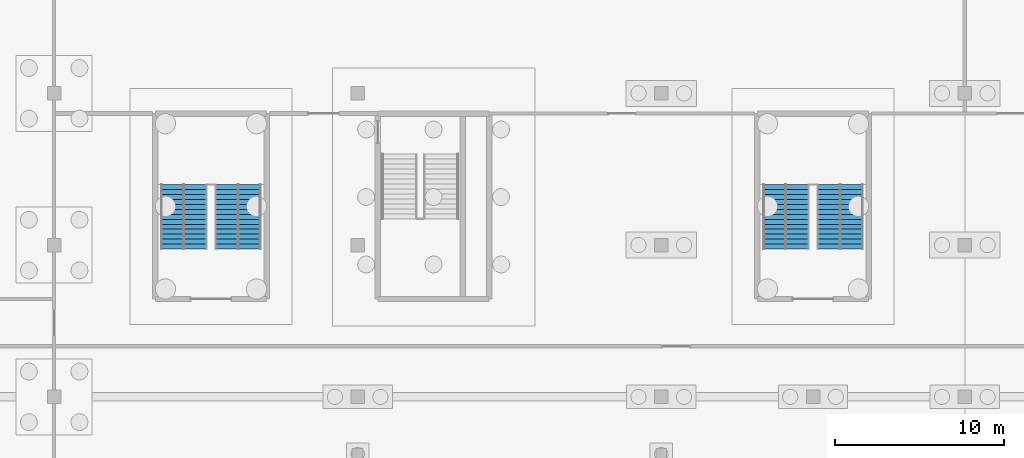
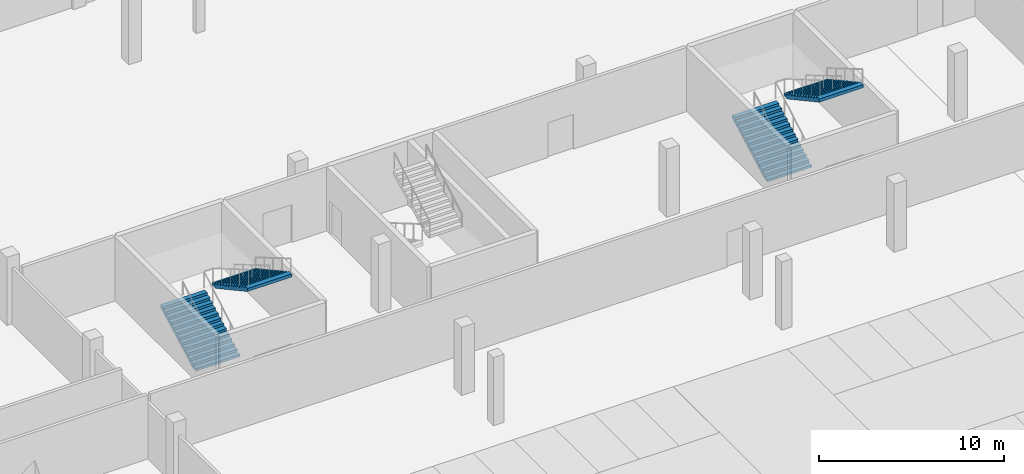
# One storey, part 33 of 46: 4 stair flights, 2 elements without a shape of their own.
"""IFC4 building model written with IfcOpenShell, lengths in metres."""

from ifc_helpers import new_model, si_unit, direction, frame, origin, place, context, subcontext, project, spatial, polygons, material, type_object, element, aggregate, save


model = new_model("IFC4")

# Units and contexts
model_context = context("Model", 3, precision=1e-05, world=origin(), true_north=direction((0.0, 1.0)))
body_context = subcontext(model_context, "Body", "Model", "MODEL_VIEW")
ifc_project = project(units=[si_unit("LENGTHUNIT", "METRE"), si_unit("AREAUNIT", "SQUARE_METRE"), si_unit("VOLUMEUNIT", "CUBIC_METRE"), si_unit("PLANEANGLEUNIT", "RADIAN"), si_unit("MASSUNIT", "GRAM", prefix="KILO")], contexts=[model_context])

# Site, building, storey
site_placement = place(None, origin())
site = spatial("IfcSite", under=ifc_project, at=site_placement, CompositionType="ELEMENT")
building_placement = place(site_placement, origin())
building = spatial("IfcBuilding", under=site, at=building_placement, Name="Kisiwana Market Hall", CompositionType="ELEMENT")
storey_placement = place(building_placement, frame((0.0, 0.0, -4.5)))
storey = spatial("IfcBuildingStorey", under=building, at=storey_placement, Name="B1", CompositionType="ELEMENT", Elevation=-4.5)

# Stair, stair flights
ifc_material_1 = material(Name="Concrete C32/40", Category="concrete")
stair_type = type_object("IfcStairType", Name="ST-ESC-4500", PredefinedType="TWO_STRAIGHT_RUN_STAIR", material=ifc_material_1)
stair_1_placement = place(storey_placement, origin())
stair_1 = element("IfcStair", 1, at=stair_1_placement, inside=storey, type_object=stair_type, Name="Escape stair ST-N3-B1", PredefinedType="TWO_STRAIGHT_RUN_STAIR")
ifc_material_2 = material(Name="Concrete C32/40", Category="concrete")
stair_flight_type = type_object("IfcStairFlightType", Name="SF-ESC-4500", PredefinedType="STRAIGHT", material=ifc_material_2)
stair_flight_1_placement = place(storey_placement, frame((52.68994140625, 92.760009765625, 0.0), z_axis=(0.0, 0.0, 1.0), x_axis=(0.0, 1.0, 0.0)))
stair_flight_1 = element("IfcStairFlight", 2, at=stair_flight_1_placement, type_object=stair_flight_type, Name="ST-N3-B1 flight 1", NumberOfRisers=14, NumberOfTreads=13, PredefinedType="STRAIGHT", RiserHeight=0.160714, TreadLength=0.295, context=body_context, shape_type="Tessellation", body=[
    polygons([(0.0, -1.380127, 0.0), (0.0, -0.690125, 0.0), (0.0, -0.000122, 0.0), (0.0, 0.68988, 0.0), (0.0, 1.379883, 0.0), (0.0, -1.380127, 0.160645), (0.0, -0.690125, 0.160645), (0.0, -0.000122, 0.160645), (0.0, 0.68988, 0.160645), (0.0, 1.379883, 0.160645), (0.294922, -1.380127, 0.160645), (0.294922, -0.690125, 0.160645), (0.294922, -0.000122, 0.160645), (0.294922, 0.68988, 0.160645), (0.294922, 1.379883, 0.160645), (0.294922, -1.380127, 0.321533), (0.294922, -0.690125, 0.321533), (0.294922, -0.000122, 0.321533), (0.294922, 0.68988, 0.321533), (0.294922, 1.379883, 0.321533), (0.590088, -1.380127, 0.321533), (0.590088, -0.690125, 0.321533), (0.590088, -0.000122, 0.321533), (0.590088, 0.68988, 0.321533), (0.590088, 1.379883, 0.321533), (0.590088, -1.380127, 0.482178), (0.590088, -0.690125, 0.482178), (0.590088, -0.000122, 0.482178), (0.590088, 0.68988, 0.482178), (0.590088, 1.379883, 0.482178), (0.88501, -1.380127, 0.482178), (0.88501, -0.690125, 0.482178), (0.88501, -0.000122, 0.482178), (0.88501, 0.68988, 0.482178), (0.88501, 1.379883, 0.482178), (0.88501, -1.380127, 0.642822), (0.88501, -0.690125, 0.642822), (0.88501, -0.000122, 0.642822), (0.88501, 0.68988, 0.642822), (0.88501, 1.379883, 0.642822), (1.179932, -1.380127, 0.642822), (1.179932, -0.690125, 0.642822), (1.179932, -0.000122, 0.642822), (1.179932, 0.68988, 0.642822), (1.179932, 1.379883, 0.642822), (1.179932, -1.380127, 0.803467), (1.179932, -0.690125, 0.803467), (1.179932, -0.000122, 0.803467), (1.179932, 0.68988, 0.803467), (1.179932, 1.379883, 0.803467), (1.475098, -1.380127, 0.803467), (1.475098, -0.690125, 0.803467), (1.475098, -0.000122, 0.803467), (1.475098, 0.68988, 0.803467), (1.475098, 1.379883, 0.803467), (1.475098, -1.380127, 0.964355), (1.475098, -0.690125, 0.964355), (1.475098, -0.000122, 0.964355), (1.475098, 0.68988, 0.964355), (1.475098, 1.379883, 0.964355), (1.77002, -1.380127, 0.964355), (1.77002, -0.690125, 0.964355), (1.77002, -0.000122, 0.964355), (1.77002, 0.68988, 0.964355), (1.77002, 1.379883, 0.964355), (1.77002, -1.380127, 1.125), (1.77002, -0.690125, 1.125), (1.77002, -0.000122, 1.125), (1.77002, 0.68988, 1.125), (1.77002, 1.379883, 1.125), (2.064941, -1.380127, 1.125), (2.064941, -0.690125, 1.125), (2.064941, -0.000122, 1.125), (2.064941, 0.68988, 1.125), (2.064941, 1.379883, 1.125), (2.064941, -1.380127, 1.285645), (2.064941, -0.690125, 1.285645), (2.064941, -0.000122, 1.285645), (2.064941, 0.68988, 1.285645), (2.064941, 1.379883, 1.285645), (2.360107, -1.380127, 1.285645), (2.360107, -0.690125, 1.285645), (2.360107, -0.000122, 1.285645), (2.360107, 0.68988, 1.285645), (2.360107, 1.379883, 1.285645), (2.360107, -1.380127, 1.446533), (2.360107, -0.690125, 1.446533), (2.360107, -0.000122, 1.446533), (2.360107, 0.68988, 1.446533), (2.360107, 1.379883, 1.446533), (2.655029, -1.380127, 1.446533), (2.655029, -0.690125, 1.446533), (2.655029, -0.000122, 1.446533), (2.655029, 0.68988, 1.446533), (2.655029, 1.379883, 1.446533), (2.655029, -1.380127, 1.607178), (2.655029, -0.690125, 1.607178), (2.655029, -0.000122, 1.607178), (2.655029, 0.68988, 1.607178), (2.655029, 1.379883, 1.607178), (2.949951, -1.380127, 1.607178), (2.949951, -0.690125, 1.607178), (2.949951, -0.000122, 1.607178), (2.949951, 0.68988, 1.607178), (2.949951, 1.379883, 1.607178), (2.949951, -1.380127, 1.767822), (2.949951, -0.690125, 1.767822), (2.949951, -0.000122, 1.767822), (2.949951, 0.68988, 1.767822), (2.949951, 1.379883, 1.767822), (3.245117, -1.380127, 1.767822), (3.245117, -0.690125, 1.767822), (3.245117, -0.000122, 1.767822), (3.245117, 0.68988, 1.767822), (3.245117, 1.379883, 1.767822), (3.245117, -1.380127, 1.928467), (3.245117, -0.690125, 1.928467), (3.245117, -0.000122, 1.928467), (3.245117, 0.68988, 1.928467), (3.245117, 1.379883, 1.928467), (3.540039, -1.380127, 1.928467), (3.540039, -0.690125, 1.928467), (3.540039, -0.000122, 1.928467), (3.540039, 0.68988, 1.928467), (3.540039, 1.379883, 1.928467), (3.540039, -1.380127, 2.089355), (3.540039, -0.690125, 2.089355), (3.540039, -0.000122, 2.089355), (3.540039, 0.68988, 2.089355), (3.540039, 1.379883, 2.089355), (3.834961, -1.380127, 2.089355), (3.834961, -0.690125, 2.089355), (3.834961, -0.000122, 2.089355), (3.834961, 0.68988, 2.089355), (3.834961, 1.379883, 2.089355), (3.834961, -1.380127, 1.884277), (3.834961, -0.690125, 1.884277), (3.834961, -0.000122, 1.884277), (3.834961, 0.68988, 1.884277), (3.834961, 1.379883, 1.884277), (0.376221, -1.380127, 0.0), (0.376221, -0.690125, 0.0), (0.376221, -0.000122, 0.0), (0.376221, 0.68988, 0.0), (0.376221, 1.379883, 0.0)], [[[1, 6, 7, 2]], [[2, 7, 8, 3]], [[3, 8, 9, 4]], [[4, 9, 10, 5]], [[6, 11, 12, 7]], [[7, 12, 13, 8]], [[8, 13, 14, 9]], [[9, 14, 15, 10]], [[11, 16, 17, 12]], [[12, 17, 18, 13]], [[13, 18, 19, 14]], [[14, 19, 20, 15]], [[16, 21, 22, 17]], [[17, 22, 23, 18]], [[18, 23, 24, 19]], [[19, 24, 25, 20]], [[21, 26, 27, 22]], [[22, 27, 28, 23]], [[23, 28, 29, 24]], [[24, 29, 30, 25]], [[26, 31, 32, 27]], [[27, 32, 33, 28]], [[28, 33, 34, 29]], [[29, 34, 35, 30]], [[31, 36, 37, 32]], [[32, 37, 38, 33]], [[33, 38, 39, 34]], [[34, 39, 40, 35]], [[36, 41, 42, 37]], [[37, 42, 43, 38]], [[38, 43, 44, 39]], [[39, 44, 45, 40]], [[41, 46, 47, 42]], [[42, 47, 48, 43]], [[43, 48, 49, 44]], [[44, 49, 50, 45]], [[46, 51, 52, 47]], [[47, 52, 53, 48]], [[48, 53, 54, 49]], [[49, 54, 55, 50]], [[51, 56, 57, 52]], [[52, 57, 58, 53]], [[53, 58, 59, 54]], [[54, 59, 60, 55]], [[56, 61, 62, 57]], [[57, 62, 63, 58]], [[58, 63, 64, 59]], [[59, 64, 65, 60]], [[61, 66, 67, 62]], [[62, 67, 68, 63]], [[63, 68, 69, 64]], [[64, 69, 70, 65]], [[66, 71, 72, 67]], [[67, 72, 73, 68]], [[68, 73, 74, 69]], [[69, 74, 75, 70]], [[71, 76, 77, 72]], [[72, 77, 78, 73]], [[73, 78, 79, 74]], [[74, 79, 80, 75]], [[76, 81, 82, 77]], [[77, 82, 83, 78]], [[78, 83, 84, 79]], [[79, 84, 85, 80]], [[81, 86, 87, 82]], [[82, 87, 88, 83]], [[83, 88, 89, 84]], [[84, 89, 90, 85]], [[86, 91, 92, 87]], [[87, 92, 93, 88]], [[88, 93, 94, 89]], [[89, 94, 95, 90]], [[91, 96, 97, 92]], [[92, 97, 98, 93]], [[93, 98, 99, 94]], [[94, 99, 100, 95]], [[96, 101, 102, 97]], [[97, 102, 103, 98]], [[98, 103, 104, 99]], [[99, 104, 105, 100]], [[101, 106, 107, 102]], [[102, 107, 108, 103]], [[103, 108, 109, 104]], [[104, 109, 110, 105]], [[106, 111, 112, 107]], [[107, 112, 113, 108]], [[108, 113, 114, 109]], [[109, 114, 115, 110]], [[111, 116, 117, 112]], [[112, 117, 118, 113]], [[113, 118, 119, 114]], [[114, 119, 120, 115]], [[116, 121, 122, 117]], [[117, 122, 123, 118]], [[118, 123, 124, 119]], [[119, 124, 125, 120]], [[121, 126, 127, 122]], [[122, 127, 128, 123]], [[123, 128, 129, 124]], [[124, 129, 130, 125]], [[126, 131, 132, 127]], [[127, 132, 133, 128]], [[128, 133, 134, 129]], [[129, 134, 135, 130]], [[131, 136, 137, 132]], [[132, 137, 138, 133]], [[133, 138, 139, 134]], [[134, 139, 140, 135]], [[136, 141, 142, 137]], [[137, 142, 143, 138]], [[138, 143, 144, 139]], [[139, 144, 145, 140]], [[141, 1, 2, 142]], [[142, 2, 3, 143]], [[143, 3, 4, 144]], [[144, 4, 5, 145]], [[141, 136, 131, 126, 121, 116, 111, 106, 101, 96, 91, 86, 81, 76, 71, 66, 61, 56, 51, 46, 41, 36, 31, 26, 21, 16, 11, 6, 1]], [[5, 10, 15, 20, 25, 30, 35, 40, 45, 50, 55, 60, 65, 70, 75, 80, 85, 90, 95, 100, 105, 110, 115, 120, 125, 130, 135, 140, 145]]], closed=True),
])
stair_flight_2_placement = place(storey_placement, frame((55.909912109375, 96.594970703125, 2.25), z_axis=(0.0, 0.0, 1.0), x_axis=(0.0, -1.0, 0.0)))
stair_flight_2 = element("IfcStairFlight", 3, at=stair_flight_2_placement, type_object=stair_flight_type, Name="ST-N3-B1 flight 2", NumberOfRisers=14, NumberOfTreads=13, PredefinedType="STRAIGHT", RiserHeight=0.160714, TreadLength=0.295, context=body_context, shape_type="Tessellation", body=[
    polygons([(0.0, -1.380127, 0.0), (0.0, -0.690125, 0.0), (0.0, -0.000122, 0.0), (0.0, 0.68988, 0.0), (0.0, 1.379883, 0.0), (0.0, -1.380127, 0.160645), (0.0, -0.690125, 0.160645), (0.0, -0.000122, 0.160645), (0.0, 0.68988, 0.160645), (0.0, 1.379883, 0.160645), (0.294922, -1.380127, 0.160645), (0.294922, -0.690125, 0.160645), (0.294922, -0.000122, 0.160645), (0.294922, 0.68988, 0.160645), (0.294922, 1.379883, 0.160645), (0.294922, -1.380127, 0.321533), (0.294922, -0.690125, 0.321533), (0.294922, -0.000122, 0.321533), (0.294922, 0.68988, 0.321533), (0.294922, 1.379883, 0.321533), (0.590088, -1.380127, 0.321533), (0.590088, -0.690125, 0.321533), (0.590088, -0.000122, 0.321533), (0.590088, 0.68988, 0.321533), (0.590088, 1.379883, 0.321533), (0.590088, -1.380127, 0.482178), (0.590088, -0.690125, 0.482178), (0.590088, -0.000122, 0.482178), (0.590088, 0.68988, 0.482178), (0.590088, 1.379883, 0.482178), (0.88501, -1.380127, 0.482178), (0.88501, -0.690125, 0.482178), (0.88501, -0.000122, 0.482178), (0.88501, 0.68988, 0.482178), (0.88501, 1.379883, 0.482178), (0.88501, -1.380127, 0.642822), (0.88501, -0.690125, 0.642822), (0.88501, -0.000122, 0.642822), (0.88501, 0.68988, 0.642822), (0.88501, 1.379883, 0.642822), (1.179932, -1.380127, 0.642822), (1.179932, -0.690125, 0.642822), (1.179932, -0.000122, 0.642822), (1.179932, 0.68988, 0.642822), (1.179932, 1.379883, 0.642822), (1.179932, -1.380127, 0.803467), (1.179932, -0.690125, 0.803467), (1.179932, -0.000122, 0.803467), (1.179932, 0.68988, 0.803467), (1.179932, 1.379883, 0.803467), (1.475098, -1.380127, 0.803467), (1.475098, -0.690125, 0.803467), (1.475098, -0.000122, 0.803467), (1.475098, 0.68988, 0.803467), (1.475098, 1.379883, 0.803467), (1.475098, -1.380127, 0.964355), (1.475098, -0.690125, 0.964355), (1.475098, -0.000122, 0.964355), (1.475098, 0.68988, 0.964355), (1.475098, 1.379883, 0.964355), (1.77002, -1.380127, 0.964355), (1.77002, -0.690125, 0.964355), (1.77002, -0.000122, 0.964355), (1.77002, 0.68988, 0.964355), (1.77002, 1.379883, 0.964355), (1.77002, -1.380127, 1.125), (1.77002, -0.690125, 1.125), (1.77002, -0.000122, 1.125), (1.77002, 0.68988, 1.125), (1.77002, 1.379883, 1.125), (2.064941, -1.380127, 1.125), (2.064941, -0.690125, 1.125), (2.064941, -0.000122, 1.125), (2.064941, 0.68988, 1.125), (2.064941, 1.379883, 1.125), (2.064941, -1.380127, 1.285645), (2.064941, -0.690125, 1.285645), (2.064941, -0.000122, 1.285645), (2.064941, 0.68988, 1.285645), (2.064941, 1.379883, 1.285645), (2.360107, -1.380127, 1.285645), (2.360107, -0.690125, 1.285645), (2.360107, -0.000122, 1.285645), (2.360107, 0.68988, 1.285645), (2.360107, 1.379883, 1.285645), (2.360107, -1.380127, 1.446533), (2.360107, -0.690125, 1.446533), (2.360107, -0.000122, 1.446533), (2.360107, 0.68988, 1.446533), (2.360107, 1.379883, 1.446533), (2.655029, -1.380127, 1.446533), (2.655029, -0.690125, 1.446533), (2.655029, -0.000122, 1.446533), (2.655029, 0.68988, 1.446533), (2.655029, 1.379883, 1.446533), (2.655029, -1.380127, 1.607178), (2.655029, -0.690125, 1.607178), (2.655029, -0.000122, 1.607178), (2.655029, 0.68988, 1.607178), (2.655029, 1.379883, 1.607178), (2.949951, -1.380127, 1.607178), (2.949951, -0.690125, 1.607178), (2.949951, -0.000122, 1.607178), (2.949951, 0.68988, 1.607178), (2.949951, 1.379883, 1.607178), (2.949951, -1.380127, 1.767822), (2.949951, -0.690125, 1.767822), (2.949951, -0.000122, 1.767822), (2.949951, 0.68988, 1.767822), (2.949951, 1.379883, 1.767822), (3.245117, -1.380127, 1.767822), (3.245117, -0.690125, 1.767822), (3.245117, -0.000122, 1.767822), (3.245117, 0.68988, 1.767822), (3.245117, 1.379883, 1.767822), (3.245117, -1.380127, 1.928467), (3.245117, -0.690125, 1.928467), (3.245117, -0.000122, 1.928467), (3.245117, 0.68988, 1.928467), (3.245117, 1.379883, 1.928467), (3.540039, -1.380127, 1.928467), (3.540039, -0.690125, 1.928467), (3.540039, -0.000122, 1.928467), (3.540039, 0.68988, 1.928467), (3.540039, 1.379883, 1.928467), (3.540039, -1.380127, 2.089355), (3.540039, -0.690125, 2.089355), (3.540039, -0.000122, 2.089355), (3.540039, 0.68988, 2.089355), (3.540039, 1.379883, 2.089355), (3.834961, -1.380127, 2.089355), (3.834961, -0.690125, 2.089355), (3.834961, -0.000122, 2.089355), (3.834961, 0.68988, 2.089355), (3.834961, 1.379883, 2.089355), (3.834961, -1.380127, 1.884277), (3.834961, -0.690125, 1.884277), (3.834961, -0.000122, 1.884277), (3.834961, 0.68988, 1.884277), (3.834961, 1.379883, 1.884277), (0.376221, -1.380127, 0.0), (0.376221, -0.690125, 0.0), (0.376221, -0.000122, 0.0), (0.376221, 0.68988, 0.0), (0.376221, 1.379883, 0.0)], [[[1, 6, 7, 2]], [[2, 7, 8, 3]], [[3, 8, 9, 4]], [[4, 9, 10, 5]], [[6, 11, 12, 7]], [[7, 12, 13, 8]], [[8, 13, 14, 9]], [[9, 14, 15, 10]], [[11, 16, 17, 12]], [[12, 17, 18, 13]], [[13, 18, 19, 14]], [[14, 19, 20, 15]], [[16, 21, 22, 17]], [[17, 22, 23, 18]], [[18, 23, 24, 19]], [[19, 24, 25, 20]], [[21, 26, 27, 22]], [[22, 27, 28, 23]], [[23, 28, 29, 24]], [[24, 29, 30, 25]], [[26, 31, 32, 27]], [[27, 32, 33, 28]], [[28, 33, 34, 29]], [[29, 34, 35, 30]], [[31, 36, 37, 32]], [[32, 37, 38, 33]], [[33, 38, 39, 34]], [[34, 39, 40, 35]], [[36, 41, 42, 37]], [[37, 42, 43, 38]], [[38, 43, 44, 39]], [[39, 44, 45, 40]], [[41, 46, 47, 42]], [[42, 47, 48, 43]], [[43, 48, 49, 44]], [[44, 49, 50, 45]], [[46, 51, 52, 47]], [[47, 52, 53, 48]], [[48, 53, 54, 49]], [[49, 54, 55, 50]], [[51, 56, 57, 52]], [[52, 57, 58, 53]], [[53, 58, 59, 54]], [[54, 59, 60, 55]], [[56, 61, 62, 57]], [[57, 62, 63, 58]], [[58, 63, 64, 59]], [[59, 64, 65, 60]], [[61, 66, 67, 62]], [[62, 67, 68, 63]], [[63, 68, 69, 64]], [[64, 69, 70, 65]], [[66, 71, 72, 67]], [[67, 72, 73, 68]], [[68, 73, 74, 69]], [[69, 74, 75, 70]], [[71, 76, 77, 72]], [[72, 77, 78, 73]], [[73, 78, 79, 74]], [[74, 79, 80, 75]], [[76, 81, 82, 77]], [[77, 82, 83, 78]], [[78, 83, 84, 79]], [[79, 84, 85, 80]], [[81, 86, 87, 82]], [[82, 87, 88, 83]], [[83, 88, 89, 84]], [[84, 89, 90, 85]], [[86, 91, 92, 87]], [[87, 92, 93, 88]], [[88, 93, 94, 89]], [[89, 94, 95, 90]], [[91, 96, 97, 92]], [[92, 97, 98, 93]], [[93, 98, 99, 94]], [[94, 99, 100, 95]], [[96, 101, 102, 97]], [[97, 102, 103, 98]], [[98, 103, 104, 99]], [[99, 104, 105, 100]], [[101, 106, 107, 102]], [[102, 107, 108, 103]], [[103, 108, 109, 104]], [[104, 109, 110, 105]], [[106, 111, 112, 107]], [[107, 112, 113, 108]], [[108, 113, 114, 109]], [[109, 114, 115, 110]], [[111, 116, 117, 112]], [[112, 117, 118, 113]], [[113, 118, 119, 114]], [[114, 119, 120, 115]], [[116, 121, 122, 117]], [[117, 122, 123, 118]], [[118, 123, 124, 119]], [[119, 124, 125, 120]], [[121, 126, 127, 122]], [[122, 127, 128, 123]], [[123, 128, 129, 124]], [[124, 129, 130, 125]], [[126, 131, 132, 127]], [[127, 132, 133, 128]], [[128, 133, 134, 129]], [[129, 134, 135, 130]], [[131, 136, 137, 132]], [[132, 137, 138, 133]], [[133, 138, 139, 134]], [[134, 139, 140, 135]], [[136, 141, 142, 137]], [[137, 142, 143, 138]], [[138, 143, 144, 139]], [[139, 144, 145, 140]], [[141, 1, 2, 142]], [[142, 2, 3, 143]], [[143, 3, 4, 144]], [[144, 4, 5, 145]], [[141, 136, 131, 126, 121, 116, 111, 106, 101, 96, 91, 86, 81, 76, 71, 66, 61, 56, 51, 46, 41, 36, 31, 26, 21, 16, 11, 6, 1]], [[5, 10, 15, 20, 25, 30, 35, 40, 45, 50, 55, 60, 65, 70, 75, 80, 85, 90, 95, 100, 105, 110, 115, 120, 125, 130, 135, 140, 145]]], closed=True),
])
aggregate(stair_1, [stair_flight_1, stair_flight_2])

stair_2_placement = place(storey_placement, origin())
stair_2 = element("IfcStair", 4, at=stair_2_placement, inside=storey, type_object=stair_type, Name="Escape stair ST-N4-B1", PredefinedType="TWO_STRAIGHT_RUN_STAIR")
stair_flight_3_placement = place(storey_placement, frame((88.389892578125, 92.760009765625, 0.0), z_axis=(0.0, 0.0, 1.0), x_axis=(0.0, 1.0, 0.0)))
stair_flight_3 = element("IfcStairFlight", 5, at=stair_flight_3_placement, type_object=stair_flight_type, Name="ST-N4-B1 flight 1", NumberOfRisers=14, NumberOfTreads=13, PredefinedType="STRAIGHT", RiserHeight=0.160714, TreadLength=0.295, context=body_context, shape_type="Tessellation", body=[
    polygons([(0.0, -1.380127, 0.0), (0.0, -0.690125, 0.0), (0.0, -0.000122, 0.0), (0.0, 0.68988, 0.0), (0.0, 1.379883, 0.0), (0.0, -1.380127, 0.160645), (0.0, -0.690125, 0.160645), (0.0, -0.000122, 0.160645), (0.0, 0.68988, 0.160645), (0.0, 1.379883, 0.160645), (0.294922, -1.380127, 0.160645), (0.294922, -0.690125, 0.160645), (0.294922, -0.000122, 0.160645), (0.294922, 0.68988, 0.160645), (0.294922, 1.379883, 0.160645), (0.294922, -1.380127, 0.321533), (0.294922, -0.690125, 0.321533), (0.294922, -0.000122, 0.321533), (0.294922, 0.68988, 0.321533), (0.294922, 1.379883, 0.321533), (0.590088, -1.380127, 0.321533), (0.590088, -0.690125, 0.321533), (0.590088, -0.000122, 0.321533), (0.590088, 0.68988, 0.321533), (0.590088, 1.379883, 0.321533), (0.590088, -1.380127, 0.482178), (0.590088, -0.690125, 0.482178), (0.590088, -0.000122, 0.482178), (0.590088, 0.68988, 0.482178), (0.590088, 1.379883, 0.482178), (0.88501, -1.380127, 0.482178), (0.88501, -0.690125, 0.482178), (0.88501, -0.000122, 0.482178), (0.88501, 0.68988, 0.482178), (0.88501, 1.379883, 0.482178), (0.88501, -1.380127, 0.642822), (0.88501, -0.690125, 0.642822), (0.88501, -0.000122, 0.642822), (0.88501, 0.68988, 0.642822), (0.88501, 1.379883, 0.642822), (1.179932, -1.380127, 0.642822), (1.179932, -0.690125, 0.642822), (1.179932, -0.000122, 0.642822), (1.179932, 0.68988, 0.642822), (1.179932, 1.379883, 0.642822), (1.179932, -1.380127, 0.803467), (1.179932, -0.690125, 0.803467), (1.179932, -0.000122, 0.803467), (1.179932, 0.68988, 0.803467), (1.179932, 1.379883, 0.803467), (1.475098, -1.380127, 0.803467), (1.475098, -0.690125, 0.803467), (1.475098, -0.000122, 0.803467), (1.475098, 0.68988, 0.803467), (1.475098, 1.379883, 0.803467), (1.475098, -1.380127, 0.964355), (1.475098, -0.690125, 0.964355), (1.475098, -0.000122, 0.964355), (1.475098, 0.68988, 0.964355), (1.475098, 1.379883, 0.964355), (1.77002, -1.380127, 0.964355), (1.77002, -0.690125, 0.964355), (1.77002, -0.000122, 0.964355), (1.77002, 0.68988, 0.964355), (1.77002, 1.379883, 0.964355), (1.77002, -1.380127, 1.125), (1.77002, -0.690125, 1.125), (1.77002, -0.000122, 1.125), (1.77002, 0.68988, 1.125), (1.77002, 1.379883, 1.125), (2.064941, -1.380127, 1.125), (2.064941, -0.690125, 1.125), (2.064941, -0.000122, 1.125), (2.064941, 0.68988, 1.125), (2.064941, 1.379883, 1.125), (2.064941, -1.380127, 1.285645), (2.064941, -0.690125, 1.285645), (2.064941, -0.000122, 1.285645), (2.064941, 0.68988, 1.285645), (2.064941, 1.379883, 1.285645), (2.360107, -1.380127, 1.285645), (2.360107, -0.690125, 1.285645), (2.360107, -0.000122, 1.285645), (2.360107, 0.68988, 1.285645), (2.360107, 1.379883, 1.285645), (2.360107, -1.380127, 1.446533), (2.360107, -0.690125, 1.446533), (2.360107, -0.000122, 1.446533), (2.360107, 0.68988, 1.446533), (2.360107, 1.379883, 1.446533), (2.655029, -1.380127, 1.446533), (2.655029, -0.690125, 1.446533), (2.655029, -0.000122, 1.446533), (2.655029, 0.68988, 1.446533), (2.655029, 1.379883, 1.446533), (2.655029, -1.380127, 1.607178), (2.655029, -0.690125, 1.607178), (2.655029, -0.000122, 1.607178), (2.655029, 0.68988, 1.607178), (2.655029, 1.379883, 1.607178), (2.949951, -1.380127, 1.607178), (2.949951, -0.690125, 1.607178), (2.949951, -0.000122, 1.607178), (2.949951, 0.68988, 1.607178), (2.949951, 1.379883, 1.607178), (2.949951, -1.380127, 1.767822), (2.949951, -0.690125, 1.767822), (2.949951, -0.000122, 1.767822), (2.949951, 0.68988, 1.767822), (2.949951, 1.379883, 1.767822), (3.245117, -1.380127, 1.767822), (3.245117, -0.690125, 1.767822), (3.245117, -0.000122, 1.767822), (3.245117, 0.68988, 1.767822), (3.245117, 1.379883, 1.767822), (3.245117, -1.380127, 1.928467), (3.245117, -0.690125, 1.928467), (3.245117, -0.000122, 1.928467), (3.245117, 0.68988, 1.928467), (3.245117, 1.379883, 1.928467), (3.540039, -1.380127, 1.928467), (3.540039, -0.690125, 1.928467), (3.540039, -0.000122, 1.928467), (3.540039, 0.68988, 1.928467), (3.540039, 1.379883, 1.928467), (3.540039, -1.380127, 2.089355), (3.540039, -0.690125, 2.089355), (3.540039, -0.000122, 2.089355), (3.540039, 0.68988, 2.089355), (3.540039, 1.379883, 2.089355), (3.834961, -1.380127, 2.089355), (3.834961, -0.690125, 2.089355), (3.834961, -0.000122, 2.089355), (3.834961, 0.68988, 2.089355), (3.834961, 1.379883, 2.089355), (3.834961, -1.380127, 1.884277), (3.834961, -0.690125, 1.884277), (3.834961, -0.000122, 1.884277), (3.834961, 0.68988, 1.884277), (3.834961, 1.379883, 1.884277), (0.376221, -1.380127, 0.0), (0.376221, -0.690125, 0.0), (0.376221, -0.000122, 0.0), (0.376221, 0.68988, 0.0), (0.376221, 1.379883, 0.0)], [[[1, 6, 7, 2]], [[2, 7, 8, 3]], [[3, 8, 9, 4]], [[4, 9, 10, 5]], [[6, 11, 12, 7]], [[7, 12, 13, 8]], [[8, 13, 14, 9]], [[9, 14, 15, 10]], [[11, 16, 17, 12]], [[12, 17, 18, 13]], [[13, 18, 19, 14]], [[14, 19, 20, 15]], [[16, 21, 22, 17]], [[17, 22, 23, 18]], [[18, 23, 24, 19]], [[19, 24, 25, 20]], [[21, 26, 27, 22]], [[22, 27, 28, 23]], [[23, 28, 29, 24]], [[24, 29, 30, 25]], [[26, 31, 32, 27]], [[27, 32, 33, 28]], [[28, 33, 34, 29]], [[29, 34, 35, 30]], [[31, 36, 37, 32]], [[32, 37, 38, 33]], [[33, 38, 39, 34]], [[34, 39, 40, 35]], [[36, 41, 42, 37]], [[37, 42, 43, 38]], [[38, 43, 44, 39]], [[39, 44, 45, 40]], [[41, 46, 47, 42]], [[42, 47, 48, 43]], [[43, 48, 49, 44]], [[44, 49, 50, 45]], [[46, 51, 52, 47]], [[47, 52, 53, 48]], [[48, 53, 54, 49]], [[49, 54, 55, 50]], [[51, 56, 57, 52]], [[52, 57, 58, 53]], [[53, 58, 59, 54]], [[54, 59, 60, 55]], [[56, 61, 62, 57]], [[57, 62, 63, 58]], [[58, 63, 64, 59]], [[59, 64, 65, 60]], [[61, 66, 67, 62]], [[62, 67, 68, 63]], [[63, 68, 69, 64]], [[64, 69, 70, 65]], [[66, 71, 72, 67]], [[67, 72, 73, 68]], [[68, 73, 74, 69]], [[69, 74, 75, 70]], [[71, 76, 77, 72]], [[72, 77, 78, 73]], [[73, 78, 79, 74]], [[74, 79, 80, 75]], [[76, 81, 82, 77]], [[77, 82, 83, 78]], [[78, 83, 84, 79]], [[79, 84, 85, 80]], [[81, 86, 87, 82]], [[82, 87, 88, 83]], [[83, 88, 89, 84]], [[84, 89, 90, 85]], [[86, 91, 92, 87]], [[87, 92, 93, 88]], [[88, 93, 94, 89]], [[89, 94, 95, 90]], [[91, 96, 97, 92]], [[92, 97, 98, 93]], [[93, 98, 99, 94]], [[94, 99, 100, 95]], [[96, 101, 102, 97]], [[97, 102, 103, 98]], [[98, 103, 104, 99]], [[99, 104, 105, 100]], [[101, 106, 107, 102]], [[102, 107, 108, 103]], [[103, 108, 109, 104]], [[104, 109, 110, 105]], [[106, 111, 112, 107]], [[107, 112, 113, 108]], [[108, 113, 114, 109]], [[109, 114, 115, 110]], [[111, 116, 117, 112]], [[112, 117, 118, 113]], [[113, 118, 119, 114]], [[114, 119, 120, 115]], [[116, 121, 122, 117]], [[117, 122, 123, 118]], [[118, 123, 124, 119]], [[119, 124, 125, 120]], [[121, 126, 127, 122]], [[122, 127, 128, 123]], [[123, 128, 129, 124]], [[124, 129, 130, 125]], [[126, 131, 132, 127]], [[127, 132, 133, 128]], [[128, 133, 134, 129]], [[129, 134, 135, 130]], [[131, 136, 137, 132]], [[132, 137, 138, 133]], [[133, 138, 139, 134]], [[134, 139, 140, 135]], [[136, 141, 142, 137]], [[137, 142, 143, 138]], [[138, 143, 144, 139]], [[139, 144, 145, 140]], [[141, 1, 2, 142]], [[142, 2, 3, 143]], [[143, 3, 4, 144]], [[144, 4, 5, 145]], [[141, 136, 131, 126, 121, 116, 111, 106, 101, 96, 91, 86, 81, 76, 71, 66, 61, 56, 51, 46, 41, 36, 31, 26, 21, 16, 11, 6, 1]], [[5, 10, 15, 20, 25, 30, 35, 40, 45, 50, 55, 60, 65, 70, 75, 80, 85, 90, 95, 100, 105, 110, 115, 120, 125, 130, 135, 140, 145]]], closed=True),
])
stair_flight_4_placement = place(storey_placement, frame((91.610107421875, 96.594970703125, 2.25), z_axis=(0.0, 0.0, 1.0), x_axis=(0.0, -1.0, 0.0)))
stair_flight_4 = element("IfcStairFlight", 6, at=stair_flight_4_placement, type_object=stair_flight_type, Name="ST-N4-B1 flight 2", NumberOfRisers=14, NumberOfTreads=13, PredefinedType="STRAIGHT", RiserHeight=0.160714, TreadLength=0.295, context=body_context, shape_type="Tessellation", body=[
    polygons([(0.0, -1.380127, 0.0), (0.0, -0.690125, 0.0), (0.0, -0.000122, 0.0), (0.0, 0.68988, 0.0), (0.0, 1.379883, 0.0), (0.0, -1.380127, 0.160645), (0.0, -0.690125, 0.160645), (0.0, -0.000122, 0.160645), (0.0, 0.68988, 0.160645), (0.0, 1.379883, 0.160645), (0.294922, -1.380127, 0.160645), (0.294922, -0.690125, 0.160645), (0.294922, -0.000122, 0.160645), (0.294922, 0.68988, 0.160645), (0.294922, 1.379883, 0.160645), (0.294922, -1.380127, 0.321533), (0.294922, -0.690125, 0.321533), (0.294922, -0.000122, 0.321533), (0.294922, 0.68988, 0.321533), (0.294922, 1.379883, 0.321533), (0.590088, -1.380127, 0.321533), (0.590088, -0.690125, 0.321533), (0.590088, -0.000122, 0.321533), (0.590088, 0.68988, 0.321533), (0.590088, 1.379883, 0.321533), (0.590088, -1.380127, 0.482178), (0.590088, -0.690125, 0.482178), (0.590088, -0.000122, 0.482178), (0.590088, 0.68988, 0.482178), (0.590088, 1.379883, 0.482178), (0.88501, -1.380127, 0.482178), (0.88501, -0.690125, 0.482178), (0.88501, -0.000122, 0.482178), (0.88501, 0.68988, 0.482178), (0.88501, 1.379883, 0.482178), (0.88501, -1.380127, 0.642822), (0.88501, -0.690125, 0.642822), (0.88501, -0.000122, 0.642822), (0.88501, 0.68988, 0.642822), (0.88501, 1.379883, 0.642822), (1.179932, -1.380127, 0.642822), (1.179932, -0.690125, 0.642822), (1.179932, -0.000122, 0.642822), (1.179932, 0.68988, 0.642822), (1.179932, 1.379883, 0.642822), (1.179932, -1.380127, 0.803467), (1.179932, -0.690125, 0.803467), (1.179932, -0.000122, 0.803467), (1.179932, 0.68988, 0.803467), (1.179932, 1.379883, 0.803467), (1.475098, -1.380127, 0.803467), (1.475098, -0.690125, 0.803467), (1.475098, -0.000122, 0.803467), (1.475098, 0.68988, 0.803467), (1.475098, 1.379883, 0.803467), (1.475098, -1.380127, 0.964355), (1.475098, -0.690125, 0.964355), (1.475098, -0.000122, 0.964355), (1.475098, 0.68988, 0.964355), (1.475098, 1.379883, 0.964355), (1.77002, -1.380127, 0.964355), (1.77002, -0.690125, 0.964355), (1.77002, -0.000122, 0.964355), (1.77002, 0.68988, 0.964355), (1.77002, 1.379883, 0.964355), (1.77002, -1.380127, 1.125), (1.77002, -0.690125, 1.125), (1.77002, -0.000122, 1.125), (1.77002, 0.68988, 1.125), (1.77002, 1.379883, 1.125), (2.064941, -1.380127, 1.125), (2.064941, -0.690125, 1.125), (2.064941, -0.000122, 1.125), (2.064941, 0.68988, 1.125), (2.064941, 1.379883, 1.125), (2.064941, -1.380127, 1.285645), (2.064941, -0.690125, 1.285645), (2.064941, -0.000122, 1.285645), (2.064941, 0.68988, 1.285645), (2.064941, 1.379883, 1.285645), (2.360107, -1.380127, 1.285645), (2.360107, -0.690125, 1.285645), (2.360107, -0.000122, 1.285645), (2.360107, 0.68988, 1.285645), (2.360107, 1.379883, 1.285645), (2.360107, -1.380127, 1.446533), (2.360107, -0.690125, 1.446533), (2.360107, -0.000122, 1.446533), (2.360107, 0.68988, 1.446533), (2.360107, 1.379883, 1.446533), (2.655029, -1.380127, 1.446533), (2.655029, -0.690125, 1.446533), (2.655029, -0.000122, 1.446533), (2.655029, 0.68988, 1.446533), (2.655029, 1.379883, 1.446533), (2.655029, -1.380127, 1.607178), (2.655029, -0.690125, 1.607178), (2.655029, -0.000122, 1.607178), (2.655029, 0.68988, 1.607178), (2.655029, 1.379883, 1.607178), (2.949951, -1.380127, 1.607178), (2.949951, -0.690125, 1.607178), (2.949951, -0.000122, 1.607178), (2.949951, 0.68988, 1.607178), (2.949951, 1.379883, 1.607178), (2.949951, -1.380127, 1.767822), (2.949951, -0.690125, 1.767822), (2.949951, -0.000122, 1.767822), (2.949951, 0.68988, 1.767822), (2.949951, 1.379883, 1.767822), (3.245117, -1.380127, 1.767822), (3.245117, -0.690125, 1.767822), (3.245117, -0.000122, 1.767822), (3.245117, 0.68988, 1.767822), (3.245117, 1.379883, 1.767822), (3.245117, -1.380127, 1.928467), (3.245117, -0.690125, 1.928467), (3.245117, -0.000122, 1.928467), (3.245117, 0.68988, 1.928467), (3.245117, 1.379883, 1.928467), (3.540039, -1.380127, 1.928467), (3.540039, -0.690125, 1.928467), (3.540039, -0.000122, 1.928467), (3.540039, 0.68988, 1.928467), (3.540039, 1.379883, 1.928467), (3.540039, -1.380127, 2.089355), (3.540039, -0.690125, 2.089355), (3.540039, -0.000122, 2.089355), (3.540039, 0.68988, 2.089355), (3.540039, 1.379883, 2.089355), (3.834961, -1.380127, 2.089355), (3.834961, -0.690125, 2.089355), (3.834961, -0.000122, 2.089355), (3.834961, 0.68988, 2.089355), (3.834961, 1.379883, 2.089355), (3.834961, -1.380127, 1.884277), (3.834961, -0.690125, 1.884277), (3.834961, -0.000122, 1.884277), (3.834961, 0.68988, 1.884277), (3.834961, 1.379883, 1.884277), (0.376221, -1.380127, 0.0), (0.376221, -0.690125, 0.0), (0.376221, -0.000122, 0.0), (0.376221, 0.68988, 0.0), (0.376221, 1.379883, 0.0)], [[[1, 6, 7, 2]], [[2, 7, 8, 3]], [[3, 8, 9, 4]], [[4, 9, 10, 5]], [[6, 11, 12, 7]], [[7, 12, 13, 8]], [[8, 13, 14, 9]], [[9, 14, 15, 10]], [[11, 16, 17, 12]], [[12, 17, 18, 13]], [[13, 18, 19, 14]], [[14, 19, 20, 15]], [[16, 21, 22, 17]], [[17, 22, 23, 18]], [[18, 23, 24, 19]], [[19, 24, 25, 20]], [[21, 26, 27, 22]], [[22, 27, 28, 23]], [[23, 28, 29, 24]], [[24, 29, 30, 25]], [[26, 31, 32, 27]], [[27, 32, 33, 28]], [[28, 33, 34, 29]], [[29, 34, 35, 30]], [[31, 36, 37, 32]], [[32, 37, 38, 33]], [[33, 38, 39, 34]], [[34, 39, 40, 35]], [[36, 41, 42, 37]], [[37, 42, 43, 38]], [[38, 43, 44, 39]], [[39, 44, 45, 40]], [[41, 46, 47, 42]], [[42, 47, 48, 43]], [[43, 48, 49, 44]], [[44, 49, 50, 45]], [[46, 51, 52, 47]], [[47, 52, 53, 48]], [[48, 53, 54, 49]], [[49, 54, 55, 50]], [[51, 56, 57, 52]], [[52, 57, 58, 53]], [[53, 58, 59, 54]], [[54, 59, 60, 55]], [[56, 61, 62, 57]], [[57, 62, 63, 58]], [[58, 63, 64, 59]], [[59, 64, 65, 60]], [[61, 66, 67, 62]], [[62, 67, 68, 63]], [[63, 68, 69, 64]], [[64, 69, 70, 65]], [[66, 71, 72, 67]], [[67, 72, 73, 68]], [[68, 73, 74, 69]], [[69, 74, 75, 70]], [[71, 76, 77, 72]], [[72, 77, 78, 73]], [[73, 78, 79, 74]], [[74, 79, 80, 75]], [[76, 81, 82, 77]], [[77, 82, 83, 78]], [[78, 83, 84, 79]], [[79, 84, 85, 80]], [[81, 86, 87, 82]], [[82, 87, 88, 83]], [[83, 88, 89, 84]], [[84, 89, 90, 85]], [[86, 91, 92, 87]], [[87, 92, 93, 88]], [[88, 93, 94, 89]], [[89, 94, 95, 90]], [[91, 96, 97, 92]], [[92, 97, 98, 93]], [[93, 98, 99, 94]], [[94, 99, 100, 95]], [[96, 101, 102, 97]], [[97, 102, 103, 98]], [[98, 103, 104, 99]], [[99, 104, 105, 100]], [[101, 106, 107, 102]], [[102, 107, 108, 103]], [[103, 108, 109, 104]], [[104, 109, 110, 105]], [[106, 111, 112, 107]], [[107, 112, 113, 108]], [[108, 113, 114, 109]], [[109, 114, 115, 110]], [[111, 116, 117, 112]], [[112, 117, 118, 113]], [[113, 118, 119, 114]], [[114, 119, 120, 115]], [[116, 121, 122, 117]], [[117, 122, 123, 118]], [[118, 123, 124, 119]], [[119, 124, 125, 120]], [[121, 126, 127, 122]], [[122, 127, 128, 123]], [[123, 128, 129, 124]], [[124, 129, 130, 125]], [[126, 131, 132, 127]], [[127, 132, 133, 128]], [[128, 133, 134, 129]], [[129, 134, 135, 130]], [[131, 136, 137, 132]], [[132, 137, 138, 133]], [[133, 138, 139, 134]], [[134, 139, 140, 135]], [[136, 141, 142, 137]], [[137, 142, 143, 138]], [[138, 143, 144, 139]], [[139, 144, 145, 140]], [[141, 1, 2, 142]], [[142, 2, 3, 143]], [[143, 3, 4, 144]], [[144, 4, 5, 145]], [[141, 136, 131, 126, 121, 116, 111, 106, 101, 96, 91, 86, 81, 76, 71, 66, 61, 56, 51, 46, 41, 36, 31, 26, 21, 16, 11, 6, 1]], [[5, 10, 15, 20, 25, 30, 35, 40, 45, 50, 55, 60, 65, 70, 75, 80, 85, 90, 95, 100, 105, 110, 115, 120, 125, 130, 135, 140, 145]]], closed=True),
])
aggregate(stair_2, [stair_flight_3, stair_flight_4])

save(model, "model.ifc")
